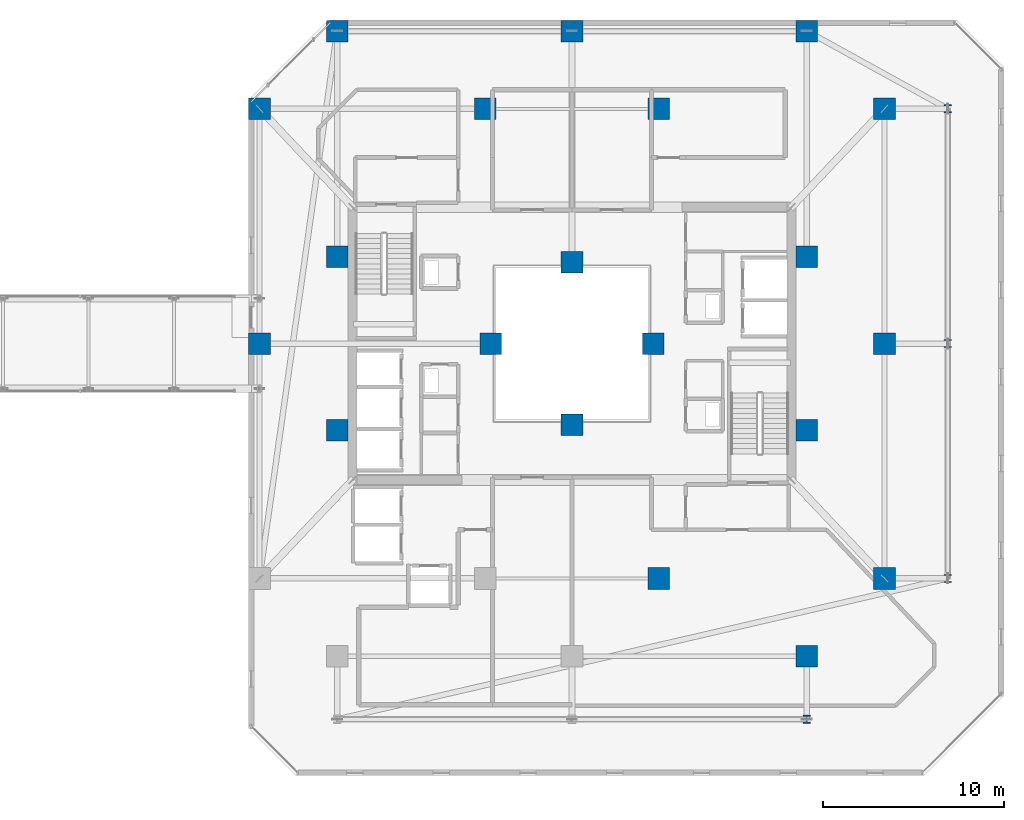
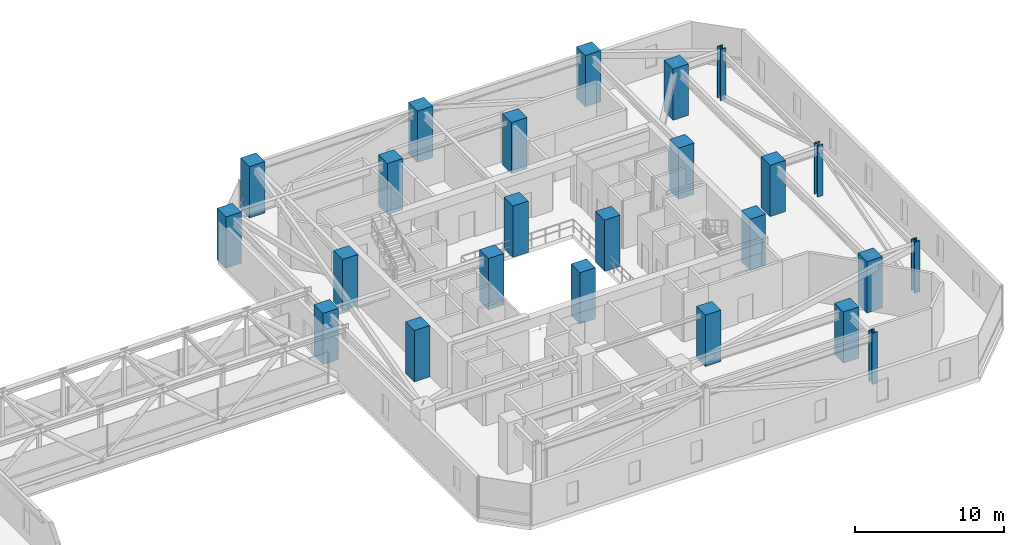
# One storey, part 2 of 45: 24 columns.
"""IFC4 building model written with IfcOpenShell, lengths in metres."""

from ifc_helpers import new_model, si_unit, direction, frame, origin, origin_2d, place, context, subcontext, project, spatial, rectangle, i_section, extrude, material, material_profile, profile_set, type_object, element, save


model = new_model("IFC4")

# Units and contexts
model_context = context("Model", 3, precision=1e-05, world=origin(), true_north=direction((0.0, 1.0)))
body_context = subcontext(model_context, "Body", "Model", "MODEL_VIEW")
ifc_project = project(units=[si_unit("LENGTHUNIT", "METRE"), si_unit("AREAUNIT", "SQUARE_METRE"), si_unit("VOLUMEUNIT", "CUBIC_METRE"), si_unit("PLANEANGLEUNIT", "RADIAN"), si_unit("MASSUNIT", "GRAM", prefix="KILO")], contexts=[model_context])

# Site, building, storey
site_placement = place(None, origin())
site = spatial("IfcSite", under=ifc_project, at=site_placement, CompositionType="ELEMENT")
building_placement = place(site_placement, origin())
building = spatial("IfcBuilding", under=site, at=building_placement, Name="Thornwick Lancets Civic Towers", CompositionType="ELEMENT")
storey_placement = place(building_placement, frame((0.0, 0.0, 141.300048828125)))
storey = spatial("IfcBuildingStorey", under=building, at=storey_placement, Name="L37", CompositionType="ELEMENT", Elevation=141.300048828125)

# Columns
ifc_material_1 = material(Name="Concrete C60/75", Category="concrete")
ifc_material_profile_1 = material_profile(ifc_material_1, rectangle(XDim=1.199951171875, YDim=1.199951171875, at=origin_2d()), Name="RC 1200x1200")
ifc_profile_set_1 = profile_set([ifc_material_profile_1], Name="Concrete C60/75")
column_type_1 = type_object("IfcColumnType", Name="COL_RC_1200", PredefinedType="COLUMN", material=ifc_profile_set_1)
for number, where, z_axis, x_axis, name in (
    (1, (105.800048828125, 14.0, 0.0), (0.0, 0.0, 1.0), (1.0, 0.0, 0.0), "L37 Spine Mega-Column B01"),
    (2, (105.800048828125, 27.0, 0.0), (0.0, 0.0, 1.0), (1.0, 0.0, 0.0), "L37 Spine Mega-Column B02"),
    (3, (105.800048828125, 40.0, 0.0), (0.0, 0.0, 1.0), (1.0, 0.0, 0.0), "L37 Spine Mega-Column B03"),
    (4, (101.5, 44.300048828125, 0.0), (0.0, 0.0, 1.0), (1.0, 0.0, 0.0), "L37 Spine Mega-Column B04"),
    (5, (88.5, 44.300048828125, 0.0), (0.0, 0.0, 1.0), (1.0, 0.0, 0.0), "L37 Spine Mega-Column B05"),
    (6, (75.5, 44.300048828125, 0.0), (0.0, 0.0, 1.0), (1.0, 0.0, 0.0), "L37 Spine Mega-Column B06"),
    (7, (71.199951171875, 27.0, 0.0), (0.0, 0.0, 1.0), (1.0, 0.0, 0.0), "L37 Spine Mega-Column B08"),
    (8, (71.199951171875, 40.0, 0.0), (0.0, 0.0, 1.0), (1.0, 0.0, 0.0), "L37 Spine Mega-Column B09"),
    (9, (101.5, 9.699951171875, 0.0), (0.0, 0.0, 1.0), (1.0, 0.0, 0.0), "L37 Spine Mega-Column B10"),
    (10, (93.300048828125, 14.0, 0.0), (0.0, 0.0, 1.0), (1.0, 0.0, 0.0), "L37 Spine Mega-Column B13"),
    (11, (93.300048828125, 40.0, 0.0), (0.0, 0.0, 1.0), (1.0, 0.0, 0.0), "L37 Spine Mega-Column B14"),
    (12, (83.699951171875, 40.0, 0.0), (0.0, 0.0, 1.0), (1.0, 0.0, 0.0), "L37 Spine Mega-Column B16"),
    (13, (101.5, 22.199951171875, 0.0), (0.0, 0.0, 1.0), (1.0, 0.0, 0.0), "L37 Spine Mega-Column B17"),
    (14, (101.5, 31.800048828125, 0.0), (0.0, 0.0, 1.0), (1.0, 0.0, 0.0), "L37 Spine Mega-Column B18"),
    (15, (75.5, 22.199951171875, 0.0), (0.0, 0.0, 1.0), (1.0, 0.0, 0.0), "L37 Spine Mega-Column B19"),
    (16, (75.5, 31.800048828125, 0.0), (0.0, 0.0, 1.0), (1.0, 0.0, 0.0), "L37 Spine Mega-Column B20"),
    (17, (93.0, 27.0, 0.0), (0.0, 0.0, 1.0), (1.0, 0.0, 0.0), "L37 Spine Mega-Column B21"),
    (18, (84.0, 27.0, 0.0), (0.0, 0.0, 1.0), (1.0, 0.0, 0.0), "L37 Spine Mega-Column B22"),
    (19, (88.5, 22.5, 0.0), (0.0, 0.0, 1.0), (1.0, 0.0, 0.0), "L37 Spine Mega-Column B23"),
    (20, (88.5, 31.5, 0.0), (0.0, 0.0, 1.0), (1.0, 0.0, 0.0), "L37 Spine Mega-Column B24"),
):
    element("IfcColumn", number, at=place(storey_placement, frame(where, z_axis=z_axis, x_axis=x_axis)), inside=storey, type_object=column_type_1, Name=name, PredefinedType="COLUMN", context=body_context, shape_type="SweptSolid", body=[
        extrude(rectangle(XDim=1.199951171875, YDim=1.199951171875, at=origin_2d()), origin(), (0.0, 0.0, 1.0), 4.199951171875),
    ])
ifc_material_2 = material(Name="Steel S460M", Category="steel")
ifc_material_profile_2 = material_profile(ifc_material_2, i_section(OverallWidth=0.41845703125, OverallDepth=0.45556640625, WebThickness=0.0419921875, FlangeThickness=0.0673828125, FilletRadius=0.01513671875, at=origin_2d()), Name="UKC 356x406x551")
ifc_profile_set_2 = profile_set([ifc_material_profile_2], Name="Steel S460M")
column_type_2 = type_object("IfcColumnType", Name="COL_UKC_551", PredefinedType="COLUMN", material=ifc_profile_set_2)
for number, where, z_axis, x_axis, name in (
    (21, (109.300048828125, 14.0, 0.0), (0.0, 0.0, 1.0), (1.0, 0.0, 0.0), "L37 Block Perimeter Column B01"),
    (22, (109.300048828125, 27.0, 0.0), (0.0, 0.0, 1.0), (1.0, 0.0, 0.0), "L37 Block Perimeter Column B02"),
    (23, (109.300048828125, 40.0, 0.0), (0.0, 0.0, 1.0), (1.0, 0.0, 0.0), "L37 Block Perimeter Column B03"),
    (24, (101.5, 6.199951171875, 0.0), (0.0, 0.0, 1.0), (1.0, 0.0, 0.0), "L37 Block Perimeter Column B10"),
):
    element("IfcColumn", number, at=place(storey_placement, frame(where, z_axis=z_axis, x_axis=x_axis)), inside=storey, type_object=column_type_2, Name=name, PredefinedType="COLUMN", context=body_context, shape_type="SweptSolid", body=[
        extrude(i_section(OverallWidth=0.41845703125, OverallDepth=0.45556640625, WebThickness=0.0419921875, FlangeThickness=0.0673828125, FilletRadius=0.01513671875, at=origin_2d()), origin(), (0.0, 0.0, 1.0), 4.199951171875),
    ])

save(model, "model.ifc")
